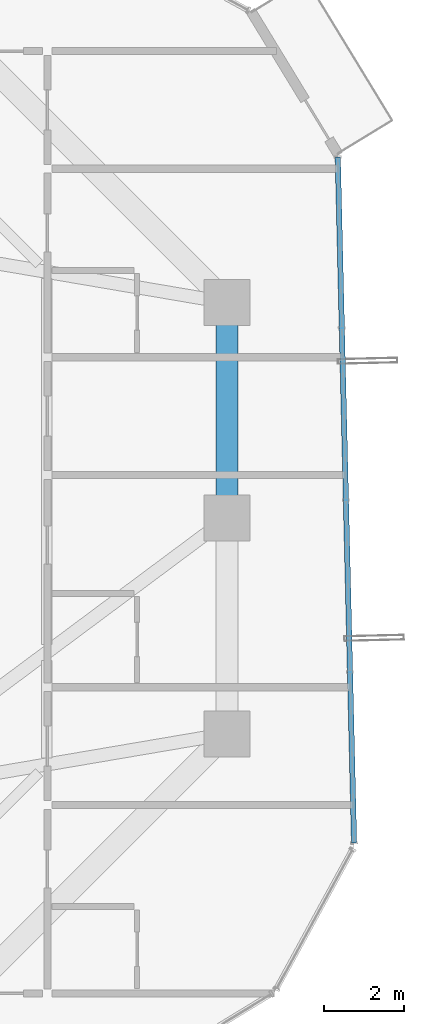
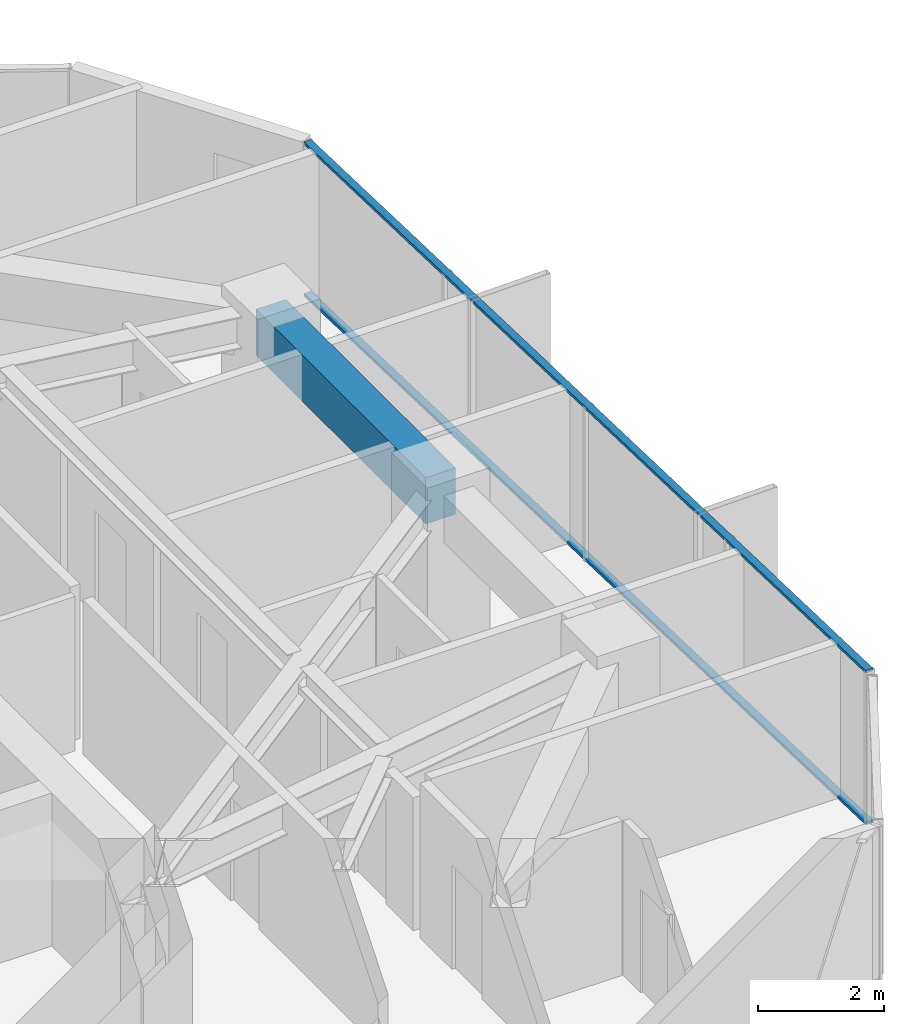
# One storey, part 15 of 31: 2 members, 1 beam, 1 element without a shape of its own.
"""IFC4 building model written with IfcOpenShell, lengths in metres."""

from ifc_helpers import new_model, si_unit, direction, frame, origin, origin_2d, place, context, subcontext, project, spatial, rectangle, hollow_rectangle, extrude, source, transform, mapped, material, layer, layer_set, material_profile, profile_set, type_object, element, aggregate, save


model = new_model("IFC4")

# Units and contexts
model_context = context("Model", 3, precision=1e-05, world=origin(), true_north=direction((0.0, 1.0)))
body_context = subcontext(model_context, "Body", "Model", "MODEL_VIEW")
ifc_project = project(units=[si_unit("LENGTHUNIT", "METRE"), si_unit("AREAUNIT", "SQUARE_METRE"), si_unit("VOLUMEUNIT", "CUBIC_METRE"), si_unit("PLANEANGLEUNIT", "RADIAN"), si_unit("MASSUNIT", "GRAM", prefix="KILO")], contexts=[model_context])

# Site, building, storey
site_placement = place(None, origin())
site = spatial("IfcSite", under=ifc_project, at=site_placement, CompositionType="ELEMENT")
building_placement = place(site_placement, origin())
building = spatial("IfcBuilding", under=site, at=building_placement, Name="Veraguas Prism Commons", CompositionType="ELEMENT")
storey_placement = place(building_placement, frame((0.0, 0.0, 132.75)))
storey = spatial("IfcBuildingStorey", under=building, at=storey_placement, Name="L37", CompositionType="ELEMENT", Elevation=132.75)

# Beam
ifc_material_1 = material(Name="Concrete C50/60", Category="concrete")
ifc_material_profile_1 = material_profile(ifc_material_1, rectangle(XDim=0.550048828125, YDim=0.89990234375, at=origin_2d()), Name="RC550X900")
ifc_profile_set_1 = profile_set([ifc_material_profile_1], Name="Concrete C50/60")
beam_type = type_object("IfcBeamType", Name="Perimeter Spandrel Lower RC 550x900", PredefinedType="SPANDREL", material=ifc_profile_set_1)
beam_placement = place(storey_placement, frame((40.199951171875, 24.0, 2.550048828125), z_axis=(0.0, 1.0, 0.0), x_axis=(-1.0, 0.0, 0.0)))
element("IfcBeam", 1, at=beam_placement, inside=storey, type_object=beam_type, Name="Perimeter Spandrel Beam L37-SP02", PredefinedType="SPANDREL", context=body_context, shape_type="SweptSolid", body=[
    extrude(rectangle(XDim=0.550048828125, YDim=0.89990234375, at=origin_2d()), origin(), (0.0, 0.0, 1.0), 5.39990234375),
])

# Curtain wall, members
ifc_material_2 = material(Name="Anodised aluminium EN AW-6063 T6", Category="aluminium")
ifc_layer = layer(ifc_material_2, 0.169921875, Name="Unitised Flush Curtain Wall Zone 2", Category="aluminium")
ifc_layer_set = layer_set([ifc_layer], Name="Anodised aluminium EN AW-6063 T6")
curtain_wall_type = type_object("IfcCurtainWallType", Name="Unitised Flush Curtain Wall Zone 2", PredefinedType="NOTDEFINED", material=ifc_layer_set)
curtain_wall_placement = place(storey_placement, origin())
curtain_wall = element("IfcCurtainWall", 2, at=curtain_wall_placement, inside=storey, type_object=curtain_wall_type, Name="Tower Facade Curtain Wall L37-F6", PredefinedType="NOTDEFINED")
ifc_material_profile_2 = material_profile(ifc_material_2, hollow_rectangle(XDim=0.054931640625, YDim=0.135009765625, WallThickness=0.0029296875, at=origin_2d()), Name="AL55X135X3")
ifc_profile_set_2 = profile_set([ifc_material_profile_2], Name="Anodised aluminium EN AW-6063 T6")
member_type = type_object("IfcMemberType", Name="Curtain Wall Transom Standard AL 55x135x3", PredefinedType="USERDEFINED", material=ifc_profile_set_2)
shared_shape = source(origin(), body_context, "Body", "SweptSolid", [
    extrude(hollow_rectangle(XDim=0.054931640625, YDim=0.135009765625, WallThickness=0.0029296875, at=origin_2d()), origin(), (0.0, 0.0, 1.0), 17.17431640625),
])
member_1_placement = place(storey_placement, frame((43.380859375, 15.87060546875, 0.027587890625), z_axis=(-0.023739859278, 0.999718169827, 0.0), x_axis=(0.0, 0.0, 1.0)))
member_1 = element("IfcMember", 3, at=member_1_placement, type_object=member_type, Name="CW-Z2 Transom 1", ObjectType="TRANSOM", PredefinedType="USERDEFINED", context=body_context, shape_type="MappedRepresentation", body=[
    mapped(shared_shape, transform((0.0, 0.0, 0.0), scale=1.0)),
])
member_2_placement = place(storey_placement, frame((43.380859375, 15.87060546875, 2.972412109375), z_axis=(-0.023739859278, 0.999718169827, 0.0), x_axis=(0.0, 0.0, 1.0)))
member_2 = element("IfcMember", 4, at=member_2_placement, type_object=member_type, Name="CW-Z2 Transom 2", ObjectType="TRANSOM", PredefinedType="USERDEFINED", context=body_context, shape_type="MappedRepresentation", body=[
    mapped(shared_shape, transform((0.0, 0.0, 0.0), scale=1.0)),
])
aggregate(curtain_wall, [member_1, member_2])

save(model, "model.ifc")
